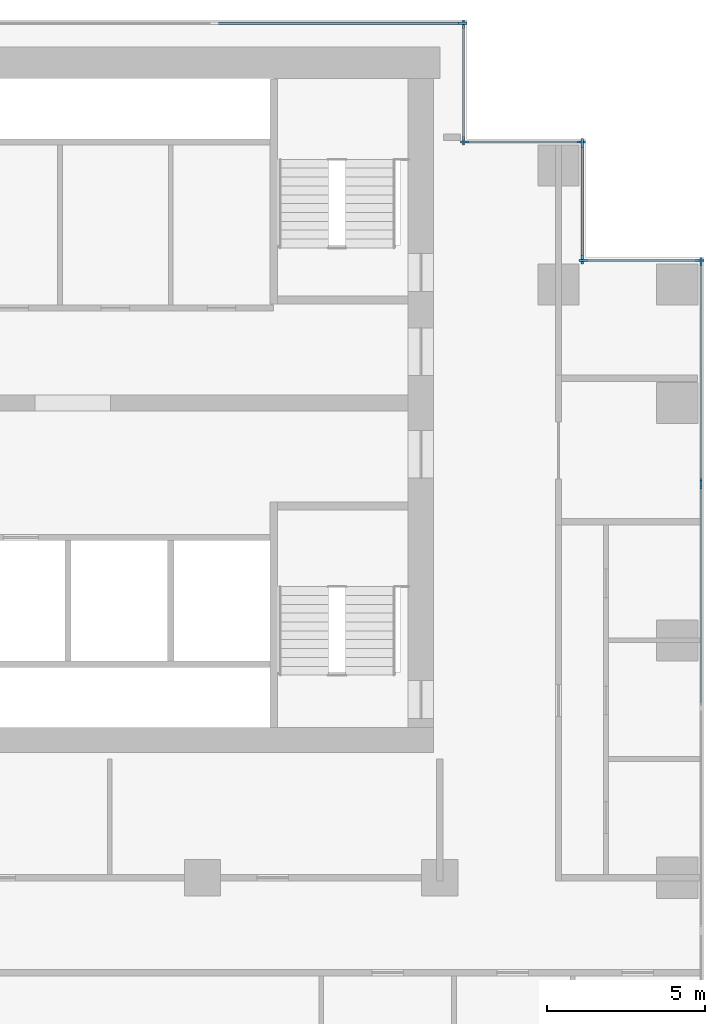
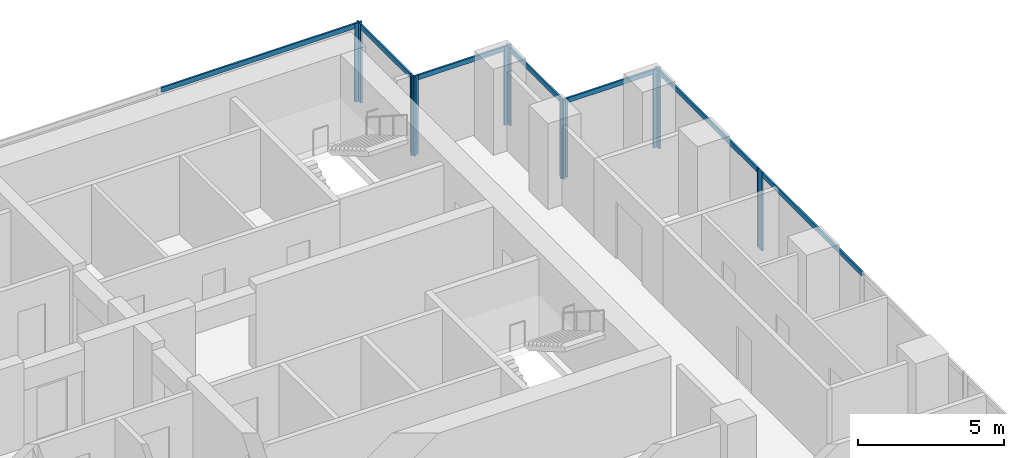
# One storey, part 5 of 10: 19 members, 7 elements without a shape of their own.
"""IFC4 building model written with IfcOpenShell, lengths in metres."""

from ifc_helpers import new_model, si_unit, direction, frame, origin, origin_2d, place, context, subcontext, project, spatial, rectangle, extrude, material, material_profile, profile_set, type_object, element, aggregate, save


model = new_model("IFC4")

# Units and contexts
model_context = context("Model", 3, precision=1e-05, world=origin(), true_north=direction((0.0, 1.0)))
body_context = subcontext(model_context, "Body", "Model", "MODEL_VIEW")
ifc_project = project(units=[si_unit("LENGTHUNIT", "METRE"), si_unit("AREAUNIT", "SQUARE_METRE"), si_unit("VOLUMEUNIT", "CUBIC_METRE"), si_unit("PLANEANGLEUNIT", "RADIAN"), si_unit("MASSUNIT", "GRAM", prefix="KILO")], contexts=[model_context])

# Site, building, storey
site_placement = place(None, origin())
site = spatial("IfcSite", under=ifc_project, at=site_placement, CompositionType="ELEMENT")
building_placement = place(site_placement, origin())
building = spatial("IfcBuilding", under=site, at=building_placement, Name="Pilkhan Gate Tower", CompositionType="ELEMENT")
storey_placement = place(building_placement, frame((0.0, 0.0, 114.39990234375)))
storey = spatial("IfcBuildingStorey", under=building, at=storey_placement, Name="L28", CompositionType="ELEMENT", Elevation=114.39990234375)

# Curtain wall, member
ifc_material_1 = material(Name="Pale anodised aluminium, clear low-iron double glazing", Category="aluminium")
curtain_wall_type = type_object("IfcCurtainWallType", Name="Office unitised curtain wall CW-O1", PredefinedType="USERDEFINED", material=ifc_material_1)
curtain_wall_1_placement = place(storey_placement, origin())
curtain_wall_1 = element("IfcCurtainWall", 1, at=curtain_wall_1_placement, inside=storey, type_object=curtain_wall_type, Name="Office unitised curtain wall CW-O1 L28 E", ObjectType="UNITISED CURTAIN WALL", PredefinedType="USERDEFINED")
ifc_material_2 = material(Name="Pale anodised aluminium", Category="aluminium")
ifc_material_profile_1 = material_profile(ifc_material_2, rectangle(XDim=0.070068359375, YDim=0.27490234375, at=origin_2d()), Name="Mullion 275x70")
ifc_profile_set_1 = profile_set([ifc_material_profile_1], Name="Pale anodised aluminium")
member_type_1 = type_object("IfcMemberType", Name="Mullion CW-O1 275x70", PredefinedType="MULLION", material=ifc_profile_set_1)
member_1_placement = place(storey_placement, frame((98.25, 79.9150390625, 0.0), z_axis=(0.0, 0.0, 1.0), x_axis=(-1.0, 0.0, 0.0)))
member_1 = element("IfcMember", 2, at=member_1_placement, type_object=member_type_1, Name="CW-O1 mullion 3", PredefinedType="MULLION", context=body_context, shape_type="SweptSolid", body=[
    extrude(rectangle(XDim=0.070068359375, YDim=0.27490234375, at=origin_2d()), origin(), (0.0, 0.0, 1.0), 3.300048828125),
])

# Curtain wall, members
curtain_wall_2_placement = place(storey_placement, origin())
curtain_wall_2 = element("IfcCurtainWall", 3, at=curtain_wall_2_placement, inside=storey, type_object=curtain_wall_type, Name="Office unitised curtain wall CW-O1 L28 E", ObjectType="UNITISED CURTAIN WALL", PredefinedType="USERDEFINED")
member_2_placement = place(storey_placement, frame((98.25, 79.985107421875, 0.0), z_axis=(0.0, 0.0, 1.0), x_axis=(-1.0, 0.0, 0.0)))
member_2 = element("IfcMember", 4, at=member_2_placement, type_object=member_type_1, Name="CW-O1 mullion 1", PredefinedType="MULLION", context=body_context, shape_type="SweptSolid", body=[
    extrude(rectangle(XDim=0.070068359375, YDim=0.27490234375, at=origin_2d()), origin(), (0.0, 0.0, 1.0), 3.300048828125),
])
member_3_placement = place(storey_placement, frame((98.25, 86.965087890625, 0.0), z_axis=(0.0, 0.0, 1.0), x_axis=(-1.0, 0.0, 0.0)))
member_3 = element("IfcMember", 5, at=member_3_placement, type_object=member_type_1, Name="CW-O1 mullion 2", PredefinedType="MULLION", context=body_context, shape_type="SweptSolid", body=[
    extrude(rectangle(XDim=0.070068359375, YDim=0.27490234375, at=origin_2d()), origin(), (0.0, 0.0, 1.0), 3.300048828125),
])

curtain_wall_3_placement = place(storey_placement, origin())
curtain_wall_3 = element("IfcCurtainWall", 6, at=curtain_wall_3_placement, inside=storey, type_object=curtain_wall_type, Name="Office unitised curtain wall CW-O1 L28 N", ObjectType="UNITISED CURTAIN WALL", PredefinedType="USERDEFINED")
member_4_placement = place(storey_placement, frame((94.534912109375, 87.0, 0.0), z_axis=(0.0, 0.0, 1.0), x_axis=(0.0, 1.0, 0.0)))
member_4 = element("IfcMember", 7, at=member_4_placement, type_object=member_type_1, Name="CW-O1 mullion 1", PredefinedType="MULLION", context=body_context, shape_type="SweptSolid", body=[
    extrude(rectangle(XDim=0.070068359375, YDim=0.27490234375, at=origin_2d()), origin(), (0.0, 0.0, 1.0), 3.300048828125),
])
member_5_placement = place(storey_placement, frame((98.215087890625, 87.0, 0.0), z_axis=(0.0, 0.0, 1.0), x_axis=(0.0, 1.0, 0.0)))
member_5 = element("IfcMember", 8, at=member_5_placement, type_object=member_type_1, Name="CW-O1 mullion 2", PredefinedType="MULLION", context=body_context, shape_type="SweptSolid", body=[
    extrude(rectangle(XDim=0.070068359375, YDim=0.27490234375, at=origin_2d()), origin(), (0.0, 0.0, 1.0), 3.300048828125),
])

curtain_wall_4_placement = place(storey_placement, origin())
curtain_wall_4 = element("IfcCurtainWall", 9, at=curtain_wall_4_placement, inside=storey, type_object=curtain_wall_type, Name="Office unitised curtain wall CW-O1 L28 E", ObjectType="UNITISED CURTAIN WALL", PredefinedType="USERDEFINED")
member_6_placement = place(storey_placement, frame((94.5, 87.034912109375, 0.0), z_axis=(0.0, 0.0, 1.0), x_axis=(-1.0, 0.0, 0.0)))
member_6 = element("IfcMember", 10, at=member_6_placement, type_object=member_type_1, Name="CW-O1 mullion 1", PredefinedType="MULLION", context=body_context, shape_type="SweptSolid", body=[
    extrude(rectangle(XDim=0.070068359375, YDim=0.27490234375, at=origin_2d()), origin(), (0.0, 0.0, 1.0), 3.300048828125),
])
member_7_placement = place(storey_placement, frame((94.5, 90.715087890625, 0.0), z_axis=(0.0, 0.0, 1.0), x_axis=(-1.0, 0.0, 0.0)))
member_7 = element("IfcMember", 11, at=member_7_placement, type_object=member_type_1, Name="CW-O1 mullion 2", PredefinedType="MULLION", context=body_context, shape_type="SweptSolid", body=[
    extrude(rectangle(XDim=0.070068359375, YDim=0.27490234375, at=origin_2d()), origin(), (0.0, 0.0, 1.0), 3.300048828125),
])

curtain_wall_5_placement = place(storey_placement, origin())
curtain_wall_5 = element("IfcCurtainWall", 12, at=curtain_wall_5_placement, inside=storey, type_object=curtain_wall_type, Name="Office unitised curtain wall CW-O1 L28 N", ObjectType="UNITISED CURTAIN WALL", PredefinedType="USERDEFINED")
member_8_placement = place(storey_placement, frame((90.784912109375, 90.75, 0.0), z_axis=(0.0, 0.0, 1.0), x_axis=(0.0, 1.0, 0.0)))
member_8 = element("IfcMember", 13, at=member_8_placement, type_object=member_type_1, Name="CW-O1 mullion 1", PredefinedType="MULLION", context=body_context, shape_type="SweptSolid", body=[
    extrude(rectangle(XDim=0.070068359375, YDim=0.27490234375, at=origin_2d()), origin(), (0.0, 0.0, 1.0), 3.300048828125),
])
member_9_placement = place(storey_placement, frame((94.465087890625, 90.75, 0.0), z_axis=(0.0, 0.0, 1.0), x_axis=(0.0, 1.0, 0.0)))
member_9 = element("IfcMember", 14, at=member_9_placement, type_object=member_type_1, Name="CW-O1 mullion 2", PredefinedType="MULLION", context=body_context, shape_type="SweptSolid", body=[
    extrude(rectangle(XDim=0.070068359375, YDim=0.27490234375, at=origin_2d()), origin(), (0.0, 0.0, 1.0), 3.300048828125),
])

curtain_wall_6_placement = place(storey_placement, origin())
curtain_wall_6 = element("IfcCurtainWall", 15, at=curtain_wall_6_placement, inside=storey, type_object=curtain_wall_type, Name="Office unitised curtain wall CW-O1 L28 E", ObjectType="UNITISED CURTAIN WALL", PredefinedType="USERDEFINED")
member_10_placement = place(storey_placement, frame((90.75, 90.784912109375, 0.0), z_axis=(0.0, 0.0, 1.0), x_axis=(-1.0, 0.0, 0.0)))
member_10 = element("IfcMember", 16, at=member_10_placement, type_object=member_type_1, Name="CW-O1 mullion 1", PredefinedType="MULLION", context=body_context, shape_type="SweptSolid", body=[
    extrude(rectangle(XDim=0.070068359375, YDim=0.27490234375, at=origin_2d()), origin(), (0.0, 0.0, 1.0), 3.300048828125),
])
member_11_placement = place(storey_placement, frame((90.75, 94.465087890625, 0.0), z_axis=(0.0, 0.0, 1.0), x_axis=(-1.0, 0.0, 0.0)))
member_11 = element("IfcMember", 17, at=member_11_placement, type_object=member_type_1, Name="CW-O1 mullion 2", PredefinedType="MULLION", context=body_context, shape_type="SweptSolid", body=[
    extrude(rectangle(XDim=0.070068359375, YDim=0.27490234375, at=origin_2d()), origin(), (0.0, 0.0, 1.0), 3.300048828125),
])

# Curtain wall, member
curtain_wall_7_placement = place(storey_placement, origin())
curtain_wall_7 = element("IfcCurtainWall", 18, at=curtain_wall_7_placement, inside=storey, type_object=curtain_wall_type, Name="Office unitised curtain wall CW-O1 L28 N", ObjectType="UNITISED CURTAIN WALL", PredefinedType="USERDEFINED")
member_12_placement = place(storey_placement, frame((90.715087890625, 94.5, 0.0), z_axis=(0.0, 0.0, 1.0), x_axis=(0.0, 1.0, 0.0)))
member_12 = element("IfcMember", 19, at=member_12_placement, type_object=member_type_1, Name="CW-O1 mullion 3", PredefinedType="MULLION", context=body_context, shape_type="SweptSolid", body=[
    extrude(rectangle(XDim=0.070068359375, YDim=0.27490234375, at=origin_2d()), origin(), (0.0, 0.0, 1.0), 3.300048828125),
])

# Member
ifc_material_profile_2 = material_profile(ifc_material_2, rectangle(XDim=0.070068359375, YDim=0.199951171875, at=origin_2d()), Name="Transom 200x70")
ifc_profile_set_2 = profile_set([ifc_material_profile_2], Name="Pale anodised aluminium")
member_type_2 = type_object("IfcMemberType", Name="Transom CW-O1 200x70", PredefinedType="USERDEFINED", material=ifc_profile_set_2)
member_13_placement = place(storey_placement, frame((98.25, 72.93505859375, 3.2001953125), z_axis=(0.0, 1.0, 0.0), x_axis=(-1.0, 0.0, 0.0)))
member_13 = element("IfcMember", 20, at=member_13_placement, type_object=member_type_2, Name="CW-O1 transom 2", ObjectType="TRANSOM", PredefinedType="USERDEFINED", context=body_context, shape_type="SweptSolid", body=[
    extrude(rectangle(XDim=0.070068359375, YDim=0.199951171875, at=origin_2d()), origin(), (0.0, 0.0, 1.0), 6.94482421875),
])

aggregate(curtain_wall_1, [member_1, member_13])

member_14_placement = place(storey_placement, frame((98.25, 80.02001953125, 3.2001953125), z_axis=(0.0, 1.0, 0.0), x_axis=(-1.0, 0.0, 0.0)))
member_14 = element("IfcMember", 21, at=member_14_placement, type_object=member_type_2, Name="CW-O1 transom 1", ObjectType="TRANSOM", PredefinedType="USERDEFINED", context=body_context, shape_type="SweptSolid", body=[
    extrude(rectangle(XDim=0.070068359375, YDim=0.199951171875, at=origin_2d()), origin(), (0.0, 0.0, 1.0), 6.909912109375),
])

aggregate(curtain_wall_2, [member_2, member_3, member_14])

member_15_placement = place(storey_placement, frame((94.570068359375, 87.0, 3.2001953125), z_axis=(1.0, 0.0, 0.0), x_axis=(0.0, 1.0, 0.0)))
member_15 = element("IfcMember", 22, at=member_15_placement, type_object=member_type_2, Name="CW-O1 transom 1", ObjectType="TRANSOM", PredefinedType="USERDEFINED", context=body_context, shape_type="SweptSolid", body=[
    extrude(rectangle(XDim=0.070068359375, YDim=0.199951171875, at=origin_2d()), origin(), (0.0, 0.0, 1.0), 3.60986328125),
])

aggregate(curtain_wall_3, [member_4, member_5, member_15])

member_16_placement = place(storey_placement, frame((94.5, 87.070068359375, 3.2001953125), z_axis=(0.0, 1.0, 0.0), x_axis=(-1.0, 0.0, 0.0)))
member_16 = element("IfcMember", 23, at=member_16_placement, type_object=member_type_2, Name="CW-O1 transom 1", ObjectType="TRANSOM", PredefinedType="USERDEFINED", context=body_context, shape_type="SweptSolid", body=[
    extrude(rectangle(XDim=0.070068359375, YDim=0.199951171875, at=origin_2d()), origin(), (0.0, 0.0, 1.0), 3.60986328125),
])

aggregate(curtain_wall_4, [member_6, member_7, member_16])

member_17_placement = place(storey_placement, frame((90.820068359375, 90.75, 3.2001953125), z_axis=(1.0, 0.0, 0.0), x_axis=(0.0, 1.0, 0.0)))
member_17 = element("IfcMember", 24, at=member_17_placement, type_object=member_type_2, Name="CW-O1 transom 1", ObjectType="TRANSOM", PredefinedType="USERDEFINED", context=body_context, shape_type="SweptSolid", body=[
    extrude(rectangle(XDim=0.070068359375, YDim=0.199951171875, at=origin_2d()), origin(), (0.0, 0.0, 1.0), 3.60986328125),
])

aggregate(curtain_wall_5, [member_8, member_9, member_17])

member_18_placement = place(storey_placement, frame((90.75, 90.820068359375, 3.2001953125), z_axis=(0.0, 1.0, 0.0), x_axis=(-1.0, 0.0, 0.0)))
member_18 = element("IfcMember", 25, at=member_18_placement, type_object=member_type_2, Name="CW-O1 transom 1", ObjectType="TRANSOM", PredefinedType="USERDEFINED", context=body_context, shape_type="SweptSolid", body=[
    extrude(rectangle(XDim=0.070068359375, YDim=0.199951171875, at=origin_2d()), origin(), (0.0, 0.0, 1.0), 3.60986328125),
])

aggregate(curtain_wall_6, [member_10, member_11, member_18])

member_19_placement = place(storey_placement, frame((82.909912109375, 94.5, 3.2001953125), z_axis=(1.0, 0.0, 0.0), x_axis=(0.0, 1.0, 0.0)))
member_19 = element("IfcMember", 26, at=member_19_placement, type_object=member_type_2, Name="CW-O1 transom 2", ObjectType="TRANSOM", PredefinedType="USERDEFINED", context=body_context, shape_type="SweptSolid", body=[
    extrude(rectangle(XDim=0.070068359375, YDim=0.199951171875, at=origin_2d()), origin(), (0.0, 0.0, 1.0), 7.77001953125),
])

aggregate(curtain_wall_7, [member_12, member_19])

save(model, "model.ifc")
